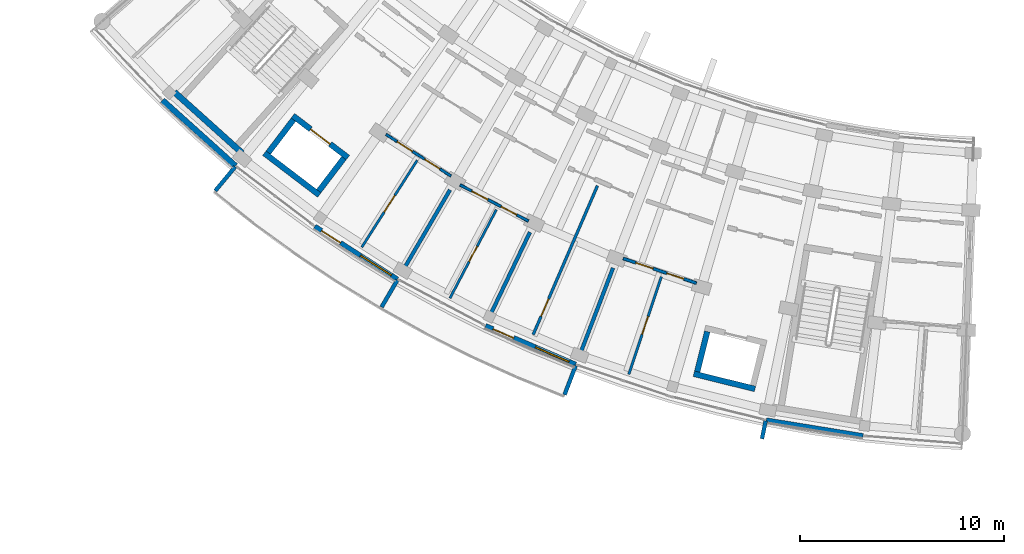
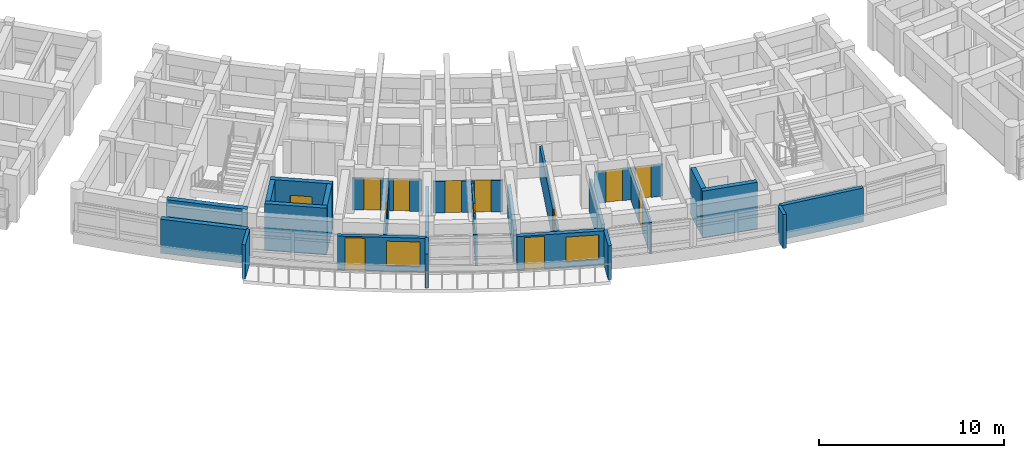
# One storey, part 41 of 70: 25 walls, 13 doors, 2 windows, 15 openings.
"""IFC4 building model written with IfcOpenShell, lengths in metres."""

from ifc_helpers import new_model, si_unit, direction, frame, frame_2d, origin, place, context, subcontext, project, spatial, rectangle, extrude, material, layer, layer_set, type_object, element, fill, save


model = new_model("IFC4")

# Units and contexts
model_context = context("Model", 3, precision=1e-05, world=origin(), true_north=direction((0.0, 1.0)))
body_context = subcontext(model_context, "Body", "Model", "MODEL_VIEW")
ifc_project = project(units=[si_unit("LENGTHUNIT", "METRE"), si_unit("AREAUNIT", "SQUARE_METRE"), si_unit("VOLUMEUNIT", "CUBIC_METRE"), si_unit("PLANEANGLEUNIT", "RADIAN"), si_unit("MASSUNIT", "GRAM", prefix="KILO")], contexts=[model_context])

# Site, building, storey
site_placement = place(None, origin())
site = spatial("IfcSite", under=ifc_project, at=site_placement, CompositionType="ELEMENT")
building_placement = place(site_placement, origin())
building = spatial("IfcBuilding", under=site, at=building_placement, Name="Zimvara Arc Housing Community", CompositionType="ELEMENT")
storey_placement = place(building_placement, frame((0.0, 0.0, 8.10009765625)))
storey = spatial("IfcBuildingStorey", under=building, at=storey_placement, Name="L02", CompositionType="ELEMENT", Elevation=8.10009765625)

# Wall, openings, door, window
ifc_material_1 = material(Name="Board-Marked Fair-Faced Concrete C35/45", Category="concrete")
ifc_layer_1 = layer(ifc_material_1, 0.22998046875)
ifc_layer_set_1 = layer_set([ifc_layer_1], Name="Board-Marked Fair-Faced Concrete C35/45")
wall_type_1 = type_object("IfcWallType", Name="EWL-CONC-230", PredefinedType="SOLIDWALL", material=ifc_layer_set_1)
wall_1_placement = place(storey_placement, frame((91.971923828125, 61.18408203125, 0.0), z_axis=(0.0, 0.0, 1.0), x_axis=(0.84226218024, -0.539068103061, 0.0)))
wall_1 = element("IfcWall", 1, at=wall_1_placement, inside=storey, type_object=wall_type_1, Name="ewall:blkC:L02:out:b3", PredefinedType="SOLIDWALL", context=body_context, shape_type="SweptSolid", body=[
    extrude(rectangle(XDim=4.808837890625, YDim=0.22998046875, at=frame_2d((2.404296875, 0.0))), origin(), (0.0, 0.0, 1.0), 2.25),
])
opening_1_placement = place(wall_1_placement, frame((0.39990234375, 0.0, 0.0)))
opening_1 = element("IfcOpeningElement", 2, at=opening_1_placement, cuts=wall_1, Name="Opening ED06", PredefinedType="OPENING", context=body_context, shape_type="SweptSolid", body=[
    extrude(rectangle(XDim=1.10009765625, YDim=2.14990234375, at=frame_2d((0.550048828125, 1.074951171875))), frame((0.0, 0.125, 0.0), z_axis=(0.0, -1.0, 0.0), x_axis=(1.0, 0.0, 0.0)), (0.0, 0.0, 1.0), 0.25),
])
opening_2_placement = place(wall_1_placement, frame((2.658935546875, 0.0, 0.35009765625)))
opening_2 = element("IfcOpeningElement", 3, at=opening_2_placement, cuts=wall_1, Name="Opening W08", PredefinedType="OPENING", context=body_context, shape_type="SweptSolid", body=[
    extrude(rectangle(XDim=1.800048828125, YDim=1.64990234375, at=frame_2d((0.89990234375, 0.824951171875))), frame((0.0, 0.125, 0.0), z_axis=(0.0, -1.0, 0.0), x_axis=(1.0, 0.0, 0.0)), (0.0, 0.0, 1.0), 0.25),
])
ifc_material_2 = material(Name="Anodised Aluminium AW-6063", Category="aluminium")
door_type_1 = type_object("IfcDoorType", Name="EDR-TERR-1100x2150", OperationType="NOTDEFINED", PredefinedType="DOOR", material=ifc_material_2)
door_1_placement = place(opening_1_placement, origin())
door_1 = element("IfcDoor", 4, at=door_1_placement, inside=storey, type_object=door_type_1, Name="edoor:blkC:L02:bal_out:b3", OperationType="SINGLE_SWING_LEFT", OverallHeight=2.14990234375, OverallWidth=1.10009765625, PredefinedType="DOOR", context=body_context, shape_type="SweptSolid", body=[
    extrude(rectangle(XDim=1.10009765625, YDim=2.14990234375, at=frame_2d((0.550048828125, 1.074951171875))), frame((0.0, 0.02490234375, 0.0), z_axis=(0.0, -1.0, 0.0), x_axis=(1.0, 0.0, 0.0)), (0.0, 0.0, 1.0), 0.050048828125),
])
fill(opening_1, door_1)
ifc_material_3 = material(Name="Solar Control Low-E Double Glazing", Category="glass")
window_type = type_object("IfcWindowType", Name="WIN-RES-1800x1650", PartitioningType="TRIPLE_PANEL_VERTICAL", PredefinedType="WINDOW", material=ifc_material_3)
window_1_placement = place(opening_2_placement, origin())
window_1 = element("IfcWindow", 5, at=window_1_placement, inside=storey, type_object=window_type, Name="win:blkC:L02:out:b3:balw", OverallHeight=1.64990234375, OverallWidth=1.800048828125, PartitioningType="TRIPLE_PANEL_VERTICAL", PredefinedType="WINDOW", context=body_context, shape_type="SweptSolid", body=[
    extrude(rectangle(XDim=1.800048828125, YDim=1.64990234375, at=frame_2d((0.89990234375, 0.824951171875))), frame((0.0, 0.030029296875, 0.0), z_axis=(0.0, -1.0, 0.0), x_axis=(1.0, 0.0, 0.0)), (0.0, 0.0, 1.0), 0.06005859375),
])
fill(opening_2, window_1)

ifc_material_4 = material(Name="Board-Marked Fair-Faced Concrete C35/45", Category="concrete")
ifc_layer_2 = layer(ifc_material_4, 0.2548828125)
ifc_layer_set_2 = layer_set([ifc_layer_2], Name="Board-Marked Fair-Faced Concrete C35/45")
wall_type_2 = type_object("IfcWallType", Name="EWL-CONC-255", PredefinedType="SOLIDWALL", material=ifc_layer_set_2)
wall_2_placement = place(storey_placement, frame((100.341064453125, 56.30126953125, 0.0), z_axis=(0.0, 0.0, 1.0), x_axis=(0.918737524932, -0.39486878869, 0.0)))
wall_2 = element("IfcWall", 6, at=wall_2_placement, inside=storey, type_object=wall_type_2, Name="ewall:blkC:L02:out:b5", PredefinedType="SOLIDWALL", context=body_context, shape_type="SweptSolid", body=[
    extrude(rectangle(XDim=4.80908203125, YDim=0.2548828125, at=frame_2d((2.404541015625, 0.0))), origin(), (0.0, 0.0, 1.0), 2.25),
])
opening_3_placement = place(wall_2_placement, frame((0.39990234375, 0.0, 0.0)))
opening_3 = element("IfcOpeningElement", 7, at=opening_3_placement, cuts=wall_2, Name="Opening ED06", PredefinedType="OPENING", context=body_context, shape_type="SweptSolid", body=[
    extrude(rectangle(XDim=1.10009765625, YDim=2.14990234375, at=frame_2d((0.550048828125, 1.074951171875))), frame((0.0, 0.137451171875, 0.0), z_axis=(0.0, -1.0, 0.0), x_axis=(1.0, 0.0, 0.0)), (0.0, 0.0, 1.0), 0.27490234375),
])
opening_4_placement = place(wall_2_placement, frame((2.658935546875, 0.0, 0.35009765625)))
opening_4 = element("IfcOpeningElement", 8, at=opening_4_placement, cuts=wall_2, Name="Opening W08", PredefinedType="OPENING", context=body_context, shape_type="SweptSolid", body=[
    extrude(rectangle(XDim=1.800048828125, YDim=1.64990234375, at=frame_2d((0.89990234375, 0.824951171875))), frame((0.0, 0.137451171875, 0.0), z_axis=(0.0, -1.0, 0.0), x_axis=(1.0, 0.0, 0.0)), (0.0, 0.0, 1.0), 0.27490234375),
])
door_2_placement = place(opening_3_placement, origin())
door_2 = element("IfcDoor", 9, at=door_2_placement, inside=storey, type_object=door_type_1, Name="edoor:blkC:L02:bal_out:b5", OperationType="SINGLE_SWING_LEFT", OverallHeight=2.14990234375, OverallWidth=1.10009765625, PredefinedType="DOOR", context=body_context, shape_type="SweptSolid", body=[
    extrude(rectangle(XDim=1.10009765625, YDim=2.14990234375, at=frame_2d((0.550048828125, 1.074951171875))), frame((0.0, 0.02490234375, 0.0), z_axis=(0.0, -1.0, 0.0), x_axis=(1.0, 0.0, 0.0)), (0.0, 0.0, 1.0), 0.050048828125),
])
fill(opening_3, door_2)
window_2_placement = place(opening_4_placement, origin())
window_2 = element("IfcWindow", 10, at=window_2_placement, inside=storey, type_object=window_type, Name="win:blkC:L02:out:b5:balw", OverallHeight=1.64990234375, OverallWidth=1.800048828125, PartitioningType="TRIPLE_PANEL_VERTICAL", PredefinedType="WINDOW", context=body_context, shape_type="SweptSolid", body=[
    extrude(rectangle(XDim=1.800048828125, YDim=1.64990234375, at=frame_2d((0.89990234375, 0.824951171875))), frame((0.0, 0.030029296875, 0.0), z_axis=(0.0, -1.0, 0.0), x_axis=(1.0, 0.0, 0.0)), (0.0, 0.0, 1.0), 0.06005859375),
])
fill(opening_4, window_2)

# Walls
ifc_material_5 = material(Name="Board-Marked Fair-Faced Concrete C35/45", Category="concrete")
ifc_layer_3 = layer(ifc_material_5, 0.195068359375)
ifc_layer_set_3 = layer_set([ifc_layer_3], Name="Board-Marked Fair-Faced Concrete C35/45")
wall_type_3 = type_object("IfcWallType", Name="EWL-PARA-195", PredefinedType="PARAPET", material=ifc_layer_set_3)
for number, where, z_axis, x_axis, name in (
    (11, (88.072265625, 64.1025390625, 0.0), (0.0, 0.0, 1.0), (-0.637952984874, -0.770075313908, 0.0), "finwall:blkC:L02:out:b2"),
    (12, (96.018798828125, 58.546630859375, 0.0), (0.0, 0.0, 1.0), (-0.504228145431, -0.863570481985, 0.0), "finwall:blkC:L02:out:b4"),
    (13, (104.76318359375, 54.35693359375, 0.0), (0.0, 0.0, 1.0), (-0.356957296461, -0.934120703391, 0.0), "finwall:blkC:L02:out:b6"),
):
    element("IfcWall", number, at=place(storey_placement, frame(where, z_axis=z_axis, x_axis=x_axis)), inside=storey, type_object=wall_type_3, Name=name, PredefinedType="PARAPET", context=body_context, shape_type="SweptSolid", body=[
        extrude(rectangle(XDim=1.530029296875, YDim=0.195068359375, at=frame_2d((0.76513671875, 0.0))), origin(), (0.0, 0.0, 1.0), 2.25),
    ])
wall_3_placement = place(storey_placement, frame((114.072509765625, 51.645263671875, 0.0), z_axis=(0.0, 0.0, 1.0), x_axis=(-0.200236425943, -0.979747607155, 0.0)))
element("IfcWall", 14, at=wall_3_placement, inside=storey, type_object=wall_type_3, Name="finwall:blkC:L02:out:b8", PredefinedType="PARAPET", context=body_context, shape_type="SweptSolid", body=[
    extrude(rectangle(XDim=0.89990234375, YDim=0.195068359375, at=frame_2d((0.449951171875, 0.0))), origin(), (0.0, 0.0, 1.0), 2.25),
])
ifc_material_6 = material(Name="Pigmented Fair-Faced Concrete C35/45", Category="concrete")
ifc_layer_4 = layer(ifc_material_6, 0.235107421875)
ifc_layer_set_4 = layer_set([ifc_layer_4], Name="Pigmented Fair-Faced Concrete C35/45")
wall_type_4 = type_object("IfcWallType", Name="EWL-PIGM-235", PredefinedType="SOLIDWALL", material=ifc_layer_set_4)
wall_4_placement = place(storey_placement, frame((114.100341796875, 51.681396484375, 0.0), z_axis=(0.0, 0.0, 1.0), x_axis=(0.987080750493, -0.160223568819, 0.0)))
element("IfcWall", 15, at=wall_4_placement, inside=storey, type_object=wall_type_4, Name="ewall:blkC:L02:out:b8", PredefinedType="SOLIDWALL", context=body_context, shape_type="SweptSolid", body=[
    extrude(rectangle(XDim=4.808837890625, YDim=0.235107421875, at=frame_2d((2.404296875, 0.0))), origin(), (0.0, 0.0, 1.0), 2.25),
])
ifc_material_7 = material(Name="Board-Marked Fair-Faced Concrete C35/45", Category="concrete")
ifc_layer_5 = layer(ifc_material_7, 0.281982421875)
ifc_layer_set_5 = layer_set([ifc_layer_5], Name="Board-Marked Fair-Faced Concrete C35/45")
wall_type_5 = type_object("IfcWallType", Name="EWL-VAR-24", PredefinedType="SOLIDWALL", material=ifc_layer_set_5)
wall_5_placement = place(storey_placement, frame((84.508056640625, 67.36328125, 0.0), z_axis=(0.0, 0.0, 1.0), x_axis=(0.743387539862, -0.668860946369, 0.0)))
element("IfcWall", 16, at=wall_5_placement, inside=storey, type_object=wall_type_5, Name="ewall:blkC:L02:out:b1", PredefinedType="SOLIDWALL", context=body_context, shape_type="SweptSolid", body=[
    extrude(rectangle(XDim=4.80908203125, YDim=0.281982421875, at=frame_2d((2.404541015625, 0.0))), origin(), (0.0, 0.0, 1.0), 2.25),
])
ifc_material_8 = material(Name="Concrete C35/45", Category="concrete")
ifc_layer_6 = layer(ifc_material_8, 0.18505859375)
ifc_layer_set_6 = layer_set([ifc_layer_6], Name="Concrete C35/45")
wall_type_6 = type_object("IfcWallType", Name="IWL-FLAT-185", PredefinedType="SOLIDWALL", material=ifc_layer_set_6)
wall_6_placement = place(storey_placement, frame((98.6005859375, 62.968017578125, 0.0), z_axis=(0.0, 0.0, 1.0), x_axis=(-0.504216452091, -0.863577309475, 0.0)))
element("IfcWall", 17, at=wall_6_placement, inside=storey, type_object=wall_type_6, Name="iwall:blkC:L02:party:b4", PredefinedType="SOLIDWALL", context=body_context, shape_type="SweptSolid", body=[
    extrude(rectangle(XDim=4.35009765625, YDim=0.18505859375, at=frame_2d((2.175048828125, 0.0))), origin(), (0.0, 0.0, 1.0), 2.079833984375),
])
wall_7_placement = place(storey_placement, frame((102.517822265625, 60.890380859375, 0.0), z_axis=(0.0, 0.0, 1.0), x_axis=(-0.432108769108, -0.901821496561, 0.0)))
element("IfcWall", 18, at=wall_7_placement, inside=storey, type_object=wall_type_6, Name="iwall:blkC:L02:party:b5", PredefinedType="SOLIDWALL", context=body_context, shape_type="SweptSolid", body=[
    extrude(rectangle(XDim=4.349853515625, YDim=0.18505859375, at=frame_2d((2.1748046875, 0.0))), origin(), (0.0, 0.0, 1.0), 2.079833984375),
])
wall_8_placement = place(storey_placement, frame((106.59130859375, 59.139404296875, 0.0), z_axis=(0.0, 0.0, 1.0), x_axis=(-0.357064016205, -0.934079915388, 0.0)))
element("IfcWall", 19, at=wall_8_placement, inside=storey, type_object=wall_type_6, Name="iwall:blkC:L02:party:b6", PredefinedType="SOLIDWALL", context=body_context, shape_type="SweptSolid", body=[
    extrude(rectangle(XDim=4.35009765625, YDim=0.18505859375, at=frame_2d((2.175048828125, 0.0))), origin(), (0.0, 0.0, 1.0), 2.079833984375),
])

# Wall, opening, door
ifc_material_9 = material(Name="Painted Acoustic Plasterboard")
ifc_layer_7 = layer(ifc_material_9, 0.1201171875)
ifc_layer_set_7 = layer_set([ifc_layer_7], Name="Painted Acoustic Plasterboard")
wall_type_7 = type_object("IfcWallType", Name="IWL-PART-120", PredefinedType="PARTITIONING", material=ifc_layer_set_7)
wall_9_placement = place(storey_placement, frame((96.992919921875, 64.418212890625, 0.0), z_axis=(0.0, 0.0, 1.0), x_axis=(-0.537785480308, -0.843081714409, 0.0)))
wall_9 = element("IfcWall", 20, at=wall_9_placement, inside=storey, type_object=wall_type_7, Name="iwall:blkC:L02:bed_div:b3", PredefinedType="PARTITIONING", context=body_context, shape_type="SweptSolid", body=[
    extrude(rectangle(XDim=5.050048828125, YDim=0.1201171875, at=frame_2d((2.52490234375, 0.0))), origin(), (0.0, 0.0, 1.0), 2.079833984375),
])
opening_5_placement = place(wall_9_placement, frame((2.044921875, 0.0, 0.0)))
opening_5 = element("IfcOpeningElement", 21, at=opening_5_placement, cuts=wall_9, Name="Opening D04", PredefinedType="OPENING", context=body_context, shape_type="SweptSolid", body=[
    extrude(rectangle(XDim=0.9599609375, YDim=2.10009765625, at=frame_2d((0.47998046875, 1.050048828125))), frame((0.0, 0.070068359375, 0.0), z_axis=(0.0, -1.0, 0.0), x_axis=(1.0, 0.0, 0.0)), (0.0, 0.0, 1.0), 0.14013671875),
])
ifc_material_10 = material(Name="Mozambican Hardwood", Category="wood")
door_type_2 = type_object("IfcDoorType", Name="IDR-RM-0960x2100", OperationType="NOTDEFINED", PredefinedType="DOOR", material=ifc_material_10)
door_3_placement = place(opening_5_placement, origin())
door_3 = element("IfcDoor", 22, at=door_3_placement, inside=storey, type_object=door_type_2, Name="idoor:blkC:L02:bed_d:b3", OperationType="SINGLE_SWING_LEFT", OverallHeight=2.10009765625, OverallWidth=0.9599609375, PredefinedType="DOOR", context=body_context, shape_type="SweptSolid", body=[
    extrude(rectangle(XDim=0.9599609375, YDim=2.10009765625, at=frame_2d((0.47998046875, 1.050048828125))), frame((0.0, 0.02490234375, 0.0), z_axis=(0.0, -1.0, 0.0), x_axis=(1.0, 0.0, 0.0)), (0.0, 0.0, 1.0), 0.050048828125),
])
fill(opening_5, door_3)

wall_10_placement = place(storey_placement, frame((100.871337890625, 61.99609375, 0.0), z_axis=(0.0, 0.0, 1.0), x_axis=(-0.464567298878, -0.885537816704, 0.0)))
wall_10 = element("IfcWall", 23, at=wall_10_placement, inside=storey, type_object=wall_type_7, Name="iwall:blkC:L02:bed_div:b4", PredefinedType="PARTITIONING", context=body_context, shape_type="SweptSolid", body=[
    extrude(rectangle(XDim=4.89990234375, YDim=0.1201171875, at=frame_2d((2.449951171875, 0.0))), origin(), (0.0, 0.0, 1.0), 2.079833984375),
])
opening_6_placement = place(wall_10_placement, frame((2.02490234375, 0.0, 0.0)))
opening_6 = element("IfcOpeningElement", 24, at=opening_6_placement, cuts=wall_10, Name="Opening D11", PredefinedType="OPENING", context=body_context, shape_type="SweptSolid", body=[
    extrude(rectangle(XDim=0.85009765625, YDim=2.10009765625, at=frame_2d((0.425048828125, 1.050048828125))), frame((0.0, 0.070068359375, 0.0), z_axis=(0.0, -1.0, 0.0), x_axis=(1.0, 0.0, 0.0)), (0.0, 0.0, 1.0), 0.14013671875),
])
ifc_material_11 = material(Name="Mozambican Hardwood", Category="wood")
door_type_3 = type_object("IfcDoorType", Name="IDR-MOD-850x2060", OperationType="NOTDEFINED", PredefinedType="DOOR", material=ifc_material_11)
door_4_placement = place(opening_6_placement, origin())
door_4 = element("IfcDoor", 25, at=door_4_placement, inside=storey, type_object=door_type_3, Name="idoor:blkC:L02:bed_d:b4", OperationType="SINGLE_SWING_LEFT", OverallHeight=2.10009765625, OverallWidth=0.85009765625, PredefinedType="DOOR", context=body_context, shape_type="SweptSolid", body=[
    extrude(rectangle(XDim=0.85009765625, YDim=2.10009765625, at=frame_2d((0.425048828125, 1.050048828125))), frame((0.0, 0.02490234375, 0.0), z_axis=(0.0, -1.0, 0.0), x_axis=(1.0, 0.0, 0.0)), (0.0, 0.0, 1.0), 0.050048828125),
])
fill(opening_6, door_4)

wall_11_placement = place(storey_placement, frame((108.960205078125, 58.7177734375, 0.0), z_axis=(0.0, 0.0, 1.0), x_axis=(-0.315778138239, -0.948833055606, 0.0)))
wall_11 = element("IfcWall", 26, at=wall_11_placement, inside=storey, type_object=wall_type_7, Name="iwall:blkC:L02:bed_div:b6", PredefinedType="PARTITIONING", context=body_context, shape_type="SweptSolid", body=[
    extrude(rectangle(XDim=5.050048828125, YDim=0.1201171875, at=frame_2d((2.52490234375, 0.0))), origin(), (0.0, 0.0, 1.0), 2.079833984375),
])
opening_7_placement = place(wall_11_placement, frame((2.06005859375, 0.0, 0.0)))
opening_7 = element("IfcOpeningElement", 27, at=opening_7_placement, cuts=wall_11, Name="Opening D13", PredefinedType="OPENING", context=body_context, shape_type="SweptSolid", body=[
    extrude(rectangle(XDim=0.929931640625, YDim=2.10009765625, at=frame_2d((0.46484375, 1.050048828125))), frame((0.0, 0.070068359375, 0.0), z_axis=(0.0, -1.0, 0.0), x_axis=(1.0, 0.0, 0.0)), (0.0, 0.0, 1.0), 0.14013671875),
])
ifc_material_12 = material(Name="Mozambican Hardwood", Category="wood")
door_type_4 = type_object("IfcDoorType", Name="IDR-MOD-930x2180", OperationType="NOTDEFINED", PredefinedType="DOOR", material=ifc_material_12)
door_5_placement = place(opening_7_placement, origin())
door_5 = element("IfcDoor", 28, at=door_5_placement, inside=storey, type_object=door_type_4, Name="idoor:blkC:L02:bed_d:b6", OperationType="SINGLE_SWING_LEFT", OverallHeight=2.10009765625, OverallWidth=0.929931640625, PredefinedType="DOOR", context=body_context, shape_type="SweptSolid", body=[
    extrude(rectangle(XDim=0.929931640625, YDim=2.10009765625, at=frame_2d((0.46484375, 1.050048828125))), frame((0.0, 0.02490234375, 0.0), z_axis=(0.0, -1.0, 0.0), x_axis=(1.0, 0.0, 0.0)), (0.0, 0.0, 1.0), 0.050048828125),
])
fill(opening_7, door_5)

# Wall, openings, doors
ifc_material_13 = material(Name="Painted Acoustic Plasterboard")
ifc_layer_8 = layer(ifc_material_13, 0.125)
ifc_layer_set_8 = layer_set([ifc_layer_8], Name="Painted Acoustic Plasterboard")
wall_type_8 = type_object("IfcWallType", Name="IWL-PART-125", PredefinedType="PARTITIONING", material=ifc_layer_set_8)
wall_12_placement = place(storey_placement, frame((95.46240234375, 65.688232421875, 0.0), z_axis=(0.0, 0.0, 1.0), x_axis=(0.842274914974, -0.539048205271, 0.0)))
wall_12 = element("IfcWall", 29, at=wall_12_placement, inside=storey, type_object=wall_type_8, Name="iwall:blkC:L02:srv:b3", PredefinedType="PARTITIONING", context=body_context, shape_type="SweptSolid", body=[
    extrude(rectangle(XDim=3.784912109375, YDim=0.125, at=frame_2d((1.892578125, 0.0))), origin(), (0.0, 0.0, 1.0), 2.079833984375),
])
opening_8_placement = place(wall_12_placement, frame((0.64990234375, 0.0, 0.0)))
opening_8 = element("IfcOpeningElement", 30, at=opening_8_placement, cuts=wall_12, Name="Opening D01", PredefinedType="OPENING", context=body_context, shape_type="SweptSolid", body=[
    extrude(rectangle(XDim=0.89990234375, YDim=2.10009765625, at=frame_2d((0.449951171875, 1.050048828125))), frame((0.0, 0.072509765625, 0.0), z_axis=(0.0, -1.0, 0.0), x_axis=(1.0, 0.0, 0.0)), (0.0, 0.0, 1.0), 0.14501953125),
])
opening_9_placement = place(wall_12_placement, frame((2.255126953125, 0.0, 0.0)))
opening_9 = element("IfcOpeningElement", 31, at=opening_9_placement, cuts=wall_12, Name="Opening D05", PredefinedType="OPENING", context=body_context, shape_type="SweptSolid", body=[
    extrude(rectangle(XDim=0.8798828125, YDim=2.10009765625, at=frame_2d((0.43994140625, 1.050048828125))), frame((0.0, 0.072509765625, 0.0), z_axis=(0.0, -1.0, 0.0), x_axis=(1.0, 0.0, 0.0)), (0.0, 0.0, 1.0), 0.14501953125),
])
ifc_material_14 = material(Name="Mozambican Hardwood", Category="wood")
door_type_5 = type_object("IfcDoorType", Name="IDR-RM-0900x2100", OperationType="NOTDEFINED", PredefinedType="DOOR", material=ifc_material_14)
door_6_placement = place(opening_8_placement, origin())
door_6 = element("IfcDoor", 32, at=door_6_placement, inside=storey, type_object=door_type_5, Name="idoor:blkC:L02:kit_liv:b3", OperationType="SINGLE_SWING_LEFT", OverallHeight=2.10009765625, OverallWidth=0.89990234375, PredefinedType="DOOR", context=body_context, shape_type="SweptSolid", body=[
    extrude(rectangle(XDim=0.89990234375, YDim=2.10009765625, at=frame_2d((0.449951171875, 1.050048828125))), frame((0.0, 0.02490234375, 0.0), z_axis=(0.0, -1.0, 0.0), x_axis=(1.0, 0.0, 0.0)), (0.0, 0.0, 1.0), 0.050048828125),
])
fill(opening_8, door_6)
ifc_material_15 = material(Name="Mozambican Hardwood", Category="wood")
door_type_6 = type_object("IfcDoorType", Name="IDR-WC-0880x2100", OperationType="NOTDEFINED", PredefinedType="DOOR", material=ifc_material_15)
door_7_placement = place(opening_9_placement, origin())
door_7 = element("IfcDoor", 33, at=door_7_placement, inside=storey, type_object=door_type_6, Name="idoor:blkC:L02:bath_d:b3", OperationType="SINGLE_SWING_RIGHT", OverallHeight=2.10009765625, OverallWidth=0.8798828125, PredefinedType="DOOR", context=body_context, shape_type="SweptSolid", body=[
    extrude(rectangle(XDim=0.8798828125, YDim=2.10009765625, at=frame_2d((0.43994140625, 1.050048828125))), frame((0.0, 0.02490234375, 0.0), z_axis=(0.0, -1.0, 0.0), x_axis=(1.0, 0.0, 0.0)), (0.0, 0.0, 1.0), 0.050048828125),
])
fill(opening_9, door_7)

ifc_material_16 = material(Name="Painted Acoustic Plasterboard")
ifc_layer_9 = layer(ifc_material_16, 0.1298828125)
ifc_layer_set_9 = layer_set([ifc_layer_9], Name="Painted Acoustic Plasterboard")
wall_type_9 = type_object("IfcWallType", Name="IWL-PART-130", PredefinedType="PARTITIONING", material=ifc_layer_set_9)
wall_13_placement = place(storey_placement, frame((99.092529296875, 63.216064453125, 0.0), z_axis=(0.0, 0.0, 1.0), x_axis=(0.883432667361, -0.468558131121, 0.0)))
wall_13 = element("IfcWall", 34, at=wall_13_placement, inside=storey, type_object=wall_type_9, Name="iwall:blkC:L02:srv:b4", PredefinedType="PARTITIONING", context=body_context, shape_type="SweptSolid", body=[
    extrude(rectangle(XDim=3.79736328125, YDim=0.1298828125, at=frame_2d((1.898681640625, 0.0))), origin(), (0.0, 0.0, 1.0), 2.079833984375),
])
opening_10_placement = place(wall_13_placement, frame((0.64990234375, 0.0, 0.0)))
opening_10 = element("IfcOpeningElement", 35, at=opening_10_placement, cuts=wall_13, Name="Opening D01", PredefinedType="OPENING", context=body_context, shape_type="SweptSolid", body=[
    extrude(rectangle(XDim=0.89990234375, YDim=2.10009765625, at=frame_2d((0.449951171875, 1.050048828125))), frame((0.0, 0.074951171875, 0.0), z_axis=(0.0, -1.0, 0.0), x_axis=(1.0, 0.0, 0.0)), (0.0, 0.0, 1.0), 0.14990234375),
])
opening_11_placement = place(wall_13_placement, frame((2.267333984375, 0.0, 0.0)))
opening_11 = element("IfcOpeningElement", 36, at=opening_11_placement, cuts=wall_13, Name="Opening D05", PredefinedType="OPENING", context=body_context, shape_type="SweptSolid", body=[
    extrude(rectangle(XDim=0.8798828125, YDim=2.10009765625, at=frame_2d((0.43994140625, 1.050048828125))), frame((0.0, 0.074951171875, 0.0), z_axis=(0.0, -1.0, 0.0), x_axis=(1.0, 0.0, 0.0)), (0.0, 0.0, 1.0), 0.14990234375),
])
door_8_placement = place(opening_10_placement, origin())
door_8 = element("IfcDoor", 37, at=door_8_placement, inside=storey, type_object=door_type_5, Name="idoor:blkC:L02:kit_liv:b4", OperationType="SINGLE_SWING_LEFT", OverallHeight=2.10009765625, OverallWidth=0.89990234375, PredefinedType="DOOR", context=body_context, shape_type="SweptSolid", body=[
    extrude(rectangle(XDim=0.89990234375, YDim=2.10009765625, at=frame_2d((0.449951171875, 1.050048828125))), frame((0.0, 0.02490234375, 0.0), z_axis=(0.0, -1.0, 0.0), x_axis=(1.0, 0.0, 0.0)), (0.0, 0.0, 1.0), 0.050048828125),
])
fill(opening_10, door_8)
door_9_placement = place(opening_11_placement, origin())
door_9 = element("IfcDoor", 38, at=door_9_placement, inside=storey, type_object=door_type_6, Name="idoor:blkC:L02:bath_d:b4", OperationType="SINGLE_SWING_RIGHT", OverallHeight=2.10009765625, OverallWidth=0.8798828125, PredefinedType="DOOR", context=body_context, shape_type="SweptSolid", body=[
    extrude(rectangle(XDim=0.8798828125, YDim=2.10009765625, at=frame_2d((0.43994140625, 1.050048828125))), frame((0.0, 0.02490234375, 0.0), z_axis=(0.0, -1.0, 0.0), x_axis=(1.0, 0.0, 0.0)), (0.0, 0.0, 1.0), 0.050048828125),
])
fill(opening_11, door_9)

# Wall, opening, door
ifc_material_17 = material(Name="Painted Acoustic Plasterboard")
ifc_layer_10 = layer(ifc_material_17, 0.139892578125)
ifc_layer_set_10 = layer_set([ifc_layer_10], Name="Painted Acoustic Plasterboard")
wall_type_10 = type_object("IfcWallType", Name="IWL-PART-140", PredefinedType="PARTITIONING", material=ifc_layer_set_10)
wall_14_placement = place(storey_placement, frame((105.82861328125, 63.17333984375, 0.0), z_axis=(0.0, 0.0, 1.0), x_axis=(-0.396278945437, -0.91813016365, 0.0)))
wall_14 = element("IfcWall", 39, at=wall_14_placement, inside=storey, type_object=wall_type_10, Name="iwall:blkC:L02:amen_div:b5", PredefinedType="PARTITIONING", context=body_context, shape_type="SweptSolid", body=[
    extrude(rectangle(XDim=7.949951171875, YDim=0.139892578125, at=frame_2d((3.97509765625, 0.0))), origin(), (0.0, 0.0, 1.0), 2.079833984375),
])
opening_12_placement = place(wall_14_placement, frame((6.050048828125, 0.0, 0.0)))
opening_12 = element("IfcOpeningElement", 40, at=opening_12_placement, cuts=wall_14, Name="Opening D02", PredefinedType="OPENING", context=body_context, shape_type="SweptSolid", body=[
    extrude(rectangle(XDim=0.919921875, YDim=2.10009765625, at=frame_2d((0.4599609375, 1.050048828125))), frame((0.0, 0.079833984375, 0.0), z_axis=(0.0, -1.0, 0.0), x_axis=(1.0, 0.0, 0.0)), (0.0, 0.0, 1.0), 0.159912109375),
])
ifc_material_18 = material(Name="Mozambican Hardwood", Category="wood")
door_type_7 = type_object("IfcDoorType", Name="IDR-RM-0920x2100", OperationType="NOTDEFINED", PredefinedType="DOOR", material=ifc_material_18)
door_10_placement = place(opening_12_placement, origin())
door_10 = element("IfcDoor", 41, at=door_10_placement, inside=storey, type_object=door_type_7, Name="idoor:blkC:L02:laund_d:b5", OperationType="SINGLE_SWING_LEFT", OverallHeight=2.10009765625, OverallWidth=0.919921875, PredefinedType="DOOR", context=body_context, shape_type="SweptSolid", body=[
    extrude(rectangle(XDim=0.919921875, YDim=2.10009765625, at=frame_2d((0.4599609375, 1.050048828125))), frame((0.0, 0.02490234375, 0.0), z_axis=(0.0, -1.0, 0.0), x_axis=(1.0, 0.0, 0.0)), (0.0, 0.0, 1.0), 0.050048828125),
])
fill(opening_12, door_10)

# Wall, openings, doors
wall_15_placement = place(storey_placement, frame((107.090087890625, 59.604248046875, 0.0), z_axis=(0.0, 0.0, 1.0), x_axis=(0.947873924847, -0.318645606584, 0.0)))
wall_15 = element("IfcWall", 42, at=wall_15_placement, inside=storey, type_object=wall_type_10, Name="iwall:blkC:L02:srv:b6", PredefinedType="PARTITIONING", context=body_context, shape_type="SweptSolid", body=[
    extrude(rectangle(XDim=3.784912109375, YDim=0.139892578125, at=frame_2d((1.892578125, 0.0))), origin(), (0.0, 0.0, 1.0), 2.079833984375),
])
opening_13_placement = place(wall_15_placement, frame((0.64990234375, 0.0, 0.0)))
opening_13 = element("IfcOpeningElement", 43, at=opening_13_placement, cuts=wall_15, Name="Opening D01", PredefinedType="OPENING", context=body_context, shape_type="SweptSolid", body=[
    extrude(rectangle(XDim=0.89990234375, YDim=2.10009765625, at=frame_2d((0.449951171875, 1.050048828125))), frame((0.0, 0.079833984375, 0.0), z_axis=(0.0, -1.0, 0.0), x_axis=(1.0, 0.0, 0.0)), (0.0, 0.0, 1.0), 0.159912109375),
])
opening_14_placement = place(wall_15_placement, frame((2.255126953125, 0.0, 0.0)))
opening_14 = element("IfcOpeningElement", 44, at=opening_14_placement, cuts=wall_15, Name="Opening D05", PredefinedType="OPENING", context=body_context, shape_type="SweptSolid", body=[
    extrude(rectangle(XDim=0.8798828125, YDim=2.10009765625, at=frame_2d((0.43994140625, 1.050048828125))), frame((0.0, 0.079833984375, 0.0), z_axis=(0.0, -1.0, 0.0), x_axis=(1.0, 0.0, 0.0)), (0.0, 0.0, 1.0), 0.159912109375),
])
door_11_placement = place(opening_13_placement, origin())
door_11 = element("IfcDoor", 45, at=door_11_placement, inside=storey, type_object=door_type_5, Name="idoor:blkC:L02:kit_liv:b6", OperationType="SINGLE_SWING_LEFT", OverallHeight=2.10009765625, OverallWidth=0.89990234375, PredefinedType="DOOR", context=body_context, shape_type="SweptSolid", body=[
    extrude(rectangle(XDim=0.89990234375, YDim=2.10009765625, at=frame_2d((0.449951171875, 1.050048828125))), frame((0.0, 0.02490234375, 0.0), z_axis=(0.0, -1.0, 0.0), x_axis=(1.0, 0.0, 0.0)), (0.0, 0.0, 1.0), 0.050048828125),
])
fill(opening_13, door_11)
door_12_placement = place(opening_14_placement, origin())
door_12 = element("IfcDoor", 46, at=door_12_placement, inside=storey, type_object=door_type_6, Name="idoor:blkC:L02:bath_d:b6", OperationType="SINGLE_SWING_RIGHT", OverallHeight=2.10009765625, OverallWidth=0.8798828125, PredefinedType="DOOR", context=body_context, shape_type="SweptSolid", body=[
    extrude(rectangle(XDim=0.8798828125, YDim=2.10009765625, at=frame_2d((0.43994140625, 1.050048828125))), frame((0.0, 0.02490234375, 0.0), z_axis=(0.0, -1.0, 0.0), x_axis=(1.0, 0.0, 0.0)), (0.0, 0.0, 1.0), 0.050048828125),
])
fill(opening_14, door_12)

# Wall, opening, door
ifc_material_19 = material(Name="Concrete C40/50", Category="concrete")
ifc_layer_11 = layer(ifc_material_19, 0.280029296875)
ifc_layer_set_11 = layer_set([ifc_layer_11], Name="Concrete C40/50")
wall_type_11 = type_object("IfcWallType", Name="WL-CORE-280", PredefinedType="SHEAR", material=ifc_layer_set_11)
wall_16_placement = place(storey_placement, frame((90.8994140625, 66.607177734375, 0.0), z_axis=(0.0, 0.0, 1.0), x_axis=(0.795439986025, -0.606032365994, 0.0)))
wall_16 = element("IfcWall", 47, at=wall_16_placement, inside=storey, type_object=wall_type_11, Name="lwall:LF-C1:L02:front", PredefinedType="SHEAR", context=body_context, shape_type="SweptSolid", body=[
    extrude(rectangle(XDim=3.389892578125, YDim=0.280029296875, at=frame_2d((1.69482421875, 0.0))), origin(), (0.0, 0.0, 1.0), 3.099853515625),
])
opening_15_placement = place(wall_16_placement, frame((1.094970703125, 0.0, 0.0)))
opening_15 = element("IfcOpeningElement", 48, at=opening_15_placement, cuts=wall_16, Name="Opening LD-LF-C1", PredefinedType="OPENING", context=body_context, shape_type="SweptSolid", body=[
    extrude(rectangle(XDim=1.199951171875, YDim=2.14990234375, at=frame_2d((0.60009765625, 1.074951171875))), frame((0.0, 0.14990234375, 0.0), z_axis=(0.0, -1.0, 0.0), x_axis=(1.0, 0.0, 0.0)), (0.0, 0.0, 1.0), 0.300048828125),
])
ifc_material_20 = material(Name="Anodised Aluminium AW-6063", Category="aluminium")
door_type_8 = type_object("IfcDoorType", Name="IDR-LD-1200x2150", OperationType="DOUBLE_DOOR_SLIDING", PredefinedType="DOOR", material=ifc_material_20)
door_13_placement = place(opening_15_placement, origin())
door_13 = element("IfcDoor", 49, at=door_13_placement, inside=storey, type_object=door_type_8, Name="Lift LF-C1 Sliding Landing Door L02", OperationType="DOUBLE_DOOR_SLIDING", OverallHeight=2.14990234375, OverallWidth=1.199951171875, PredefinedType="DOOR", context=body_context, shape_type="SweptSolid", body=[
    extrude(rectangle(XDim=1.199951171875, YDim=2.14990234375, at=frame_2d((0.60009765625, 1.074951171875))), frame((0.0, 0.02490234375, 0.0), z_axis=(0.0, -1.0, 0.0), x_axis=(1.0, 0.0, 0.0)), (0.0, 0.0, 1.0), 0.050048828125),
])
fill(opening_15, door_13)

# Walls
wall_17_placement = place(storey_placement, frame((89.49951171875, 64.76953125, 0.0), z_axis=(0.0, 0.0, 1.0), x_axis=(0.795474703455, -0.605986795371, 0.0)))
element("IfcWall", 50, at=wall_17_placement, inside=storey, type_object=wall_type_11, Name="lwall:LF-C1:L02:back", PredefinedType="SHEAR", context=body_context, shape_type="SweptSolid", body=[
    extrude(rectangle(XDim=3.389892578125, YDim=0.280029296875, at=frame_2d((1.69482421875, 0.0))), origin(), (0.0, 0.0, 1.0), 3.099853515625),
])
wall_18_placement = place(storey_placement, frame((90.92578125, 66.410888671875, 0.0), z_axis=(0.0, 0.0, 1.0), x_axis=(-0.605948992168, -0.795503500238, 0.0)))
element("IfcWall", 51, at=wall_18_placement, inside=storey, type_object=wall_type_11, Name="lwall:LF-C1:L02:left", PredefinedType="SHEAR", context=body_context, shape_type="SweptSolid", body=[
    extrude(rectangle(XDim=2.02978515625, YDim=0.280029296875, at=frame_2d((1.014892578125, 0.0))), origin(), (0.0, 0.0, 1.0), 3.099853515625),
])
wall_19_placement = place(storey_placement, frame((93.399658203125, 64.5263671875, 0.0), z_axis=(0.0, 0.0, 1.0), x_axis=(-0.605891019062, -0.795547656033, 0.0)))
element("IfcWall", 52, at=wall_19_placement, inside=storey, type_object=wall_type_11, Name="lwall:LF-C1:L02:right", PredefinedType="SHEAR", context=body_context, shape_type="SweptSolid", body=[
    extrude(rectangle(XDim=2.030029296875, YDim=0.280029296875, at=frame_2d((1.01513671875, 0.0))), origin(), (0.0, 0.0, 1.0), 3.099853515625),
])
wall_20_placement = place(storey_placement, frame((110.552978515625, 53.953857421875, 0.0), z_axis=(0.0, 0.0, 1.0), x_axis=(0.970725280816, -0.240192483614, 0.0)))
element("IfcWall", 53, at=wall_20_placement, inside=storey, type_object=wall_type_11, Name="lwall:LP-C2:L02:back", PredefinedType="SHEAR", context=body_context, shape_type="SweptSolid", body=[
    extrude(rectangle(XDim=3.090087890625, YDim=0.280029296875, at=frame_2d((1.544921875, 0.0))), origin(), (0.0, 0.0, 1.0), 3.099853515625),
])
wall_21_placement = place(storey_placement, frame((111.210205078125, 56.026611328125, 0.0), z_axis=(0.0, 0.0, 1.0), x_axis=(-0.240186044774, -0.970726873995, 0.0)))
element("IfcWall", 54, at=wall_21_placement, inside=storey, type_object=wall_type_11, Name="lwall:LP-C2:L02:left", PredefinedType="SHEAR", context=body_context, shape_type="SweptSolid", body=[
    extrude(rectangle(XDim=2.02978515625, YDim=0.280029296875, at=frame_2d((1.014892578125, 0.0))), origin(), (0.0, 0.0, 1.0), 3.099853515625),
])
ifc_material_21 = material(Name="Concrete C40/50", Category="concrete")
ifc_layer_12 = layer(ifc_material_21, 0.300048828125)
ifc_layer_set_12 = layer_set([ifc_layer_12], Name="Concrete C40/50")
wall_type_12 = type_object("IfcWallType", Name="WL-CORE-300", PredefinedType="SHEAR", material=ifc_layer_set_12)
wall_22_placement = place(storey_placement, frame((85.092529296875, 67.759521484375, 0.0), z_axis=(0.0, 0.0, 1.0), x_axis=(0.743372896184, -0.668877221333, 0.0)))
element("IfcWall", 55, at=wall_22_placement, inside=storey, type_object=wall_type_12, Name="cwall:ST-C1:L02:far", PredefinedType="SHEAR", context=body_context, shape_type="SweptSolid", body=[
    extrude(rectangle(XDim=4.47021484375, YDim=0.300048828125, at=frame_2d((2.235107421875, 0.0))), origin(), (0.0, 0.0, 1.0), 3.099853515625),
])

save(model, "model.ifc")
